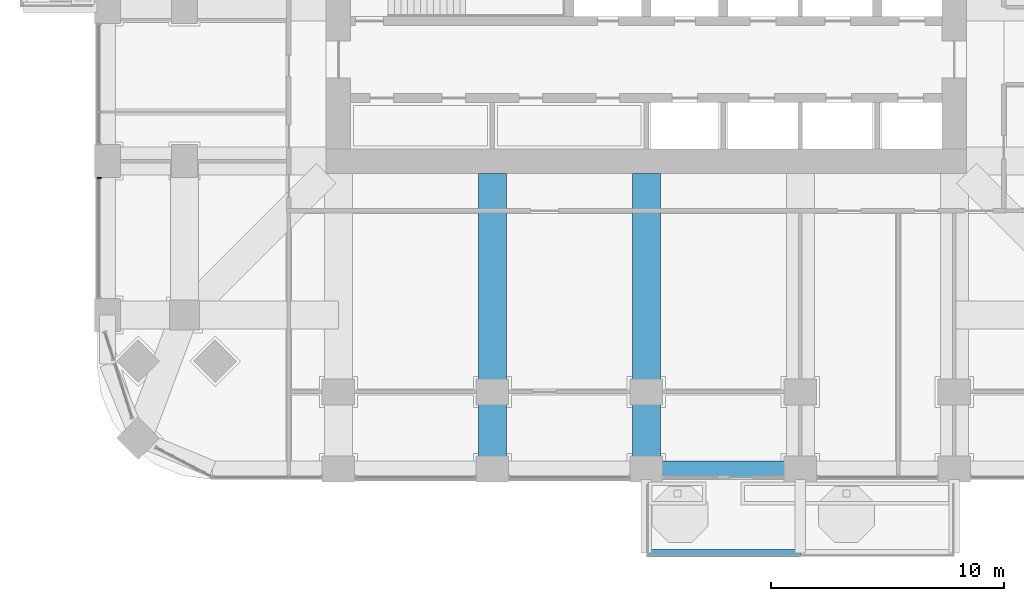
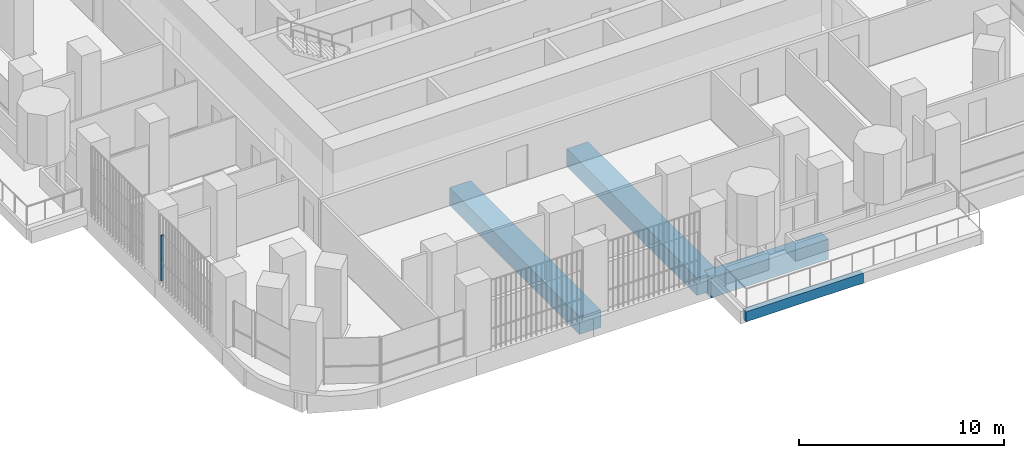
# One storey, part 3 of 22: 4 beams, 1 member, 1 element without a shape of its own.
"""IFC4 building model written with IfcOpenShell, lengths in metres."""

import ifcopenshell
import ifcopenshell.guid

model = None  # the IFC model being written
_history = None  # IfcOwnerHistory: only IFC2X3 demands one
_inside = {}  # id of a spatial element -> (the spatial element, [elements in it])
_under = {}  # id of a project, library or spatial element -> (it, [spatial elements below it])
_declared = {}  # id of a project -> (the project, [libraries it declares])
_typed = {}  # id of a type object -> (the type object, [elements of that type])
_made_of = {}  # id of a material, layer set ... -> (it, [elements and type objects made of it])


def new_model(schema):
    """Start an empty IFC model of exactly this schema.

    Asked for "IFC4X3", IfcOpenShell would pick the latest addendum, in which some entities
    have other attributes; the version numbers below select the first issue.
    IFC2X3 requires an IfcOwnerHistory on every rooted entity: one is made here for all.
    """
    global model, _history
    if schema == "IFC4X3":
        model = ifcopenshell.file(schema_version=(4, 3, 0, 0))
    else:
        model = ifcopenshell.file(schema=schema)
    _inside.clear()
    _under.clear()
    _declared.clear()
    _typed.clear()
    _made_of.clear()
    _history = None
    if model.schema == "IFC2X3":
        org = make("IfcOrganization", Name="unknown")
        user = make(
            "IfcPersonAndOrganization",
            ThePerson=make("IfcPerson", FamilyName="unknown"),
            TheOrganization=org,
        )
        app = make(
            "IfcApplication",
            ApplicationDeveloper=org,
            Version="unknown",
            ApplicationFullName="unknown",
            ApplicationIdentifier="unknown",
        )
        _history = make(
            "IfcOwnerHistory",
            OwningUser=user,
            OwningApplication=app,
            ChangeAction="ADDED",
            CreationDate=0,
        )
    return model


def make(cls, **values):
    """One entity of the class cls with the attributes given. An attribute that is None is left unset."""
    return model.create_entity(
        cls, **{name: value for name, value in values.items() if value is not None}
    )


def rooted(cls, **values):
    """An entity with a GlobalId (a new one), such as an element, a storey or a relation."""
    return make(cls, GlobalId=ifcopenshell.guid.new(), OwnerHistory=_history, **values)


def si_unit(unit_type, name, prefix=None):
    """IfcSIUnit, for example si_unit("LENGTHUNIT", "METRE", prefix="MILLI")."""
    return make("IfcSIUnit", UnitType=unit_type, Prefix=prefix, Name=name)


def assignment(units):
    """IfcUnitAssignment: the units of a project."""
    return None if units is None else make("IfcUnitAssignment", Units=units)


def point(xyz):
    """IfcCartesianPoint."""
    return None if xyz is None else make("IfcCartesianPoint", Coordinates=xyz)


def direction(xyz):
    """IfcDirection."""
    return None if xyz is None else make("IfcDirection", DirectionRatios=xyz)


def frame(location, z_axis=None, x_axis=None):
    """IfcAxis2Placement3D, a coordinate frame: its origin and axes. An axis left out is left unset."""
    return make(
        "IfcAxis2Placement3D",
        Location=point(location),
        Axis=direction(z_axis),
        RefDirection=direction(x_axis),
    )


def frame_2d(location, x_axis=None):
    """IfcAxis2Placement2D, a coordinate frame in the plane: its origin and x axis."""
    return make(
        "IfcAxis2Placement2D", Location=point(location), RefDirection=direction(x_axis)
    )


def origin():
    """The frame at (0, 0, 0) with its axes left unset."""
    return frame((0.0, 0.0, 0.0))


def origin_2d():
    """The frame at (0, 0) in the plane with its x axis left unset."""
    return frame_2d((0.0, 0.0))


def place(relative_to, where):
    """IfcLocalPlacement: puts the frame where relative to a parent placement (None: the world)."""
    return make(
        "IfcLocalPlacement", PlacementRelTo=relative_to, RelativePlacement=where
    )


def context(
    kind, dimensions, precision=None, world=None, true_north=None, identifier=None
):
    """IfcGeometricRepresentationContext, for example the 3D "Model" context."""
    return make(
        "IfcGeometricRepresentationContext",
        ContextIdentifier=identifier,
        ContextType=kind,
        CoordinateSpaceDimension=dimensions,
        Precision=precision,
        WorldCoordinateSystem=world,
        TrueNorth=true_north,
    )


def subcontext(parent, identifier, kind, view, scale=None):
    """IfcGeometricRepresentationSubContext, for example "Body" below "Model"."""
    return make(
        "IfcGeometricRepresentationSubContext",
        ContextIdentifier=identifier,
        ContextType=kind,
        ParentContext=parent,
        TargetScale=scale,
        TargetView=view,
    )


def project(units=None, contexts=None):
    """IfcProject with its units and contexts."""
    return rooted(
        "IfcProject",
        Name="project",
        RepresentationContexts=contexts,
        UnitsInContext=assignment(units),
    )


def spatial(cls, under=None, at=None, **own):
    """A site, building, storey or space (cls), placed at a placement, below another one or the project."""
    s = rooted(cls, ObjectPlacement=at, **own)
    if under is not None:
        _under.setdefault(under.id(), (under, []))[1].append(s)
    return s


def profile(cls, at=None, kind="AREA", **sizes):
    """A parametric profile (cls). Its sizes go by their IFC names, for example OverallWidth=200.0."""
    return make(cls, ProfileType=kind, Position=at, **sizes)


def rectangle(**sizes):
    """IfcRectangleProfileDef."""
    return profile("IfcRectangleProfileDef", **sizes)


def extrude(swept, where, along, depth):
    """IfcExtrudedAreaSolid: the profile swept, set in the frame where, extruded along a direction by depth."""
    return make(
        "IfcExtrudedAreaSolid",
        SweptArea=swept,
        Position=where,
        ExtrudedDirection=direction(along),
        Depth=depth,
    )


def shape(context_of_items, identifier, shape_type, items):
    """IfcShapeRepresentation: the items that make up one representation, for example the "Body"."""
    return make(
        "IfcShapeRepresentation",
        ContextOfItems=context_of_items,
        RepresentationIdentifier=identifier,
        RepresentationType=shape_type,
        Items=items,
    )


def material(Name=None, Category=None):
    """IfcMaterial."""
    return make("IfcMaterial", Name=Name, Category=Category)


def material_profile(
    of_material, cross_section, Name=None, Category=None, Priority=None
):
    """IfcMaterialProfile: a cross section and its material."""
    return make(
        "IfcMaterialProfile",
        Name=Name,
        Material=of_material,
        Profile=cross_section,
        Priority=Priority,
        Category=Category,
    )


def profile_set(profiles, Name=None, composite=None):
    """IfcMaterialProfileSet."""
    return make(
        "IfcMaterialProfileSet",
        Name=Name,
        MaterialProfiles=profiles,
        CompositeProfile=composite,
    )


def made_of(thing, what):
    """Note that an element or type object is made of a material, layer set ...; save() writes the relation."""
    if what is not None:
        _made_of.setdefault(what.id(), (what, []))[1].append(thing)
    return thing


def type_object(cls, material=None, **own):
    """A type object (cls), such as IfcWallType, which elements share."""
    return made_of(rooted(cls, **own), material)


def element(
    cls,
    number,
    at=None,
    inside=None,
    cuts=None,
    type_object=None,
    material=None,
    context=None,
    identifier="Body",
    shape_type=None,
    held_by="IfcProductDefinitionShape",
    body=None,
    shapes=None,
    **own,
):
    """One element of the class cls, such as IfcWall. Its Tag is "e" and its number.

    at: its placement. inside: the storey or other place that contains it. cuts: it is an
    opening in that element (IfcRelVoidsElement). A single representation is given by context,
    identifier, shape_type and body (its items); several are given by shapes. held_by: the class
    of the entity that holds the representations. save() writes the other relations.
    """
    e = rooted(cls, Tag="e%d" % number, ObjectPlacement=at, **own)
    if body is not None:
        shapes = [shape(context, identifier, shape_type, body)]
    if shapes is not None:
        e.Representation = make(held_by, Representations=shapes)
    if inside is not None:
        _inside.setdefault(inside.id(), (inside, []))[1].append(e)
    if cuts is not None:
        rooted(
            "IfcRelVoidsElement", RelatingBuildingElement=cuts, RelatedOpeningElement=e
        )
    if type_object is not None:
        _typed.setdefault(type_object.id(), (type_object, []))[1].append(e)
    return made_of(e, material)


def aggregate(whole, parts):
    """IfcRelAggregates: a whole, such as a stair, and the parts it consists of."""
    return rooted("IfcRelAggregates", RelatingObject=whole, RelatedObjects=parts)


def save(model, path):
    """Write the relations noted so far, then the file.

    IfcRelAggregates (storeys below a building ...), IfcRelContainedInSpatialStructure (elements
    in a storey), IfcRelDefinesByType, IfcRelAssociatesMaterial and IfcRelDeclares: one each for
    every whole, place, type object, material and project.
    """
    for whole, parts in _under.values():
        aggregate(whole, parts)
    for where, things in _inside.values():
        rooted(
            "IfcRelContainedInSpatialStructure",
            RelatedElements=things,
            RelatingStructure=where,
        )
    for kind, things in _typed.values():
        rooted("IfcRelDefinesByType", RelatedObjects=things, RelatingType=kind)
    for what, things in _made_of.values():
        rooted("IfcRelAssociatesMaterial", RelatedObjects=things, RelatingMaterial=what)
    for by, libraries in _declared.values():
        rooted("IfcRelDeclares", RelatingContext=by, RelatedDefinitions=libraries)
    model.write(path)


model = new_model("IFC4")

# Units and contexts
model_context = context("Model", 3, precision=1e-05, world=origin(), true_north=direction((0.0, 1.0)))
body_context = subcontext(model_context, "Body", "Model", "MODEL_VIEW")
ifc_project = project(units=[si_unit("LENGTHUNIT", "METRE"), si_unit("AREAUNIT", "SQUARE_METRE"), si_unit("VOLUMEUNIT", "CUBIC_METRE"), si_unit("PLANEANGLEUNIT", "RADIAN"), si_unit("MASSUNIT", "GRAM", prefix="KILO")], contexts=[model_context])

# Site, building, storey
site_placement = place(None, origin())
site = spatial("IfcSite", under=ifc_project, at=site_placement, CompositionType="ELEMENT")
building_placement = place(site_placement, origin())
building = spatial("IfcBuilding", under=site, at=building_placement, Name="Cobogo Forest Laboratory Tower", CompositionType="ELEMENT")
storey_placement = place(building_placement, frame((0.0, 0.0, 120.0)))
storey = spatial("IfcBuildingStorey", under=building, at=storey_placement, Name="L27", CompositionType="ELEMENT", Elevation=120.0)

# Beams
ifc_material_1 = material(Name="Concrete HA-40 (C40/50)", Category="concrete")
ifc_material_profile_1 = material_profile(ifc_material_1, rectangle(XDim=0.300048828125, YDim=0.60009765625, at=origin_2d()), Name="RC 300x600")
ifc_profile_set_1 = profile_set([ifc_material_profile_1], Name="Concrete HA-40 (C40/50)")
beam_type_1 = type_object("IfcBeamType", Name="Balcony edge beam 300x600", PredefinedType="BEAM", material=ifc_profile_set_1)
beam_1_placement = place(storey_placement, frame((26.39990234375, -3.60009765625, -0.550048828125), z_axis=(1.0, 0.0, 0.0), x_axis=(0.0, 1.0, 0.0)))
element("IfcBeam", 1, at=beam_1_placement, inside=storey, type_object=beam_type_1, Name="BB1 BAL-S1-T1 L27", PredefinedType="BEAM", context=body_context, shape_type="SweptSolid", body=[
    extrude(rectangle(XDim=0.300048828125, YDim=0.60009765625, at=origin_2d()), origin(), (0.0, 0.0, 1.0), 6.60009765625),
])
ifc_material_profile_2 = material_profile(ifc_material_1, rectangle(XDim=1.199951171875, YDim=1.050048828125, at=origin_2d()), Name="RC 1200x1050")
ifc_profile_set_2 = profile_set([ifc_material_profile_2], Name="Concrete HA-40 (C40/50)")
beam_type_2 = type_object("IfcBeamType", Name="Laboratory floor wide beam 1200x1050", PredefinedType="BEAM", material=ifc_profile_set_2)
for number, where, z_axis, x_axis, name in (
    (2, (19.800048828125, 12.675048828125, -0.824951171875), (0.0, -1.0, 0.0), (1.0, 0.0, 0.0), "RB1 R-4-S L27"),
    (3, (26.39990234375, 12.675048828125, -0.824951171875), (0.0, -1.0, 0.0), (1.0, 0.0, 0.0), "RB1 R-5-S L27"),
):
    element("IfcBeam", number, at=place(storey_placement, frame(where, z_axis=z_axis, x_axis=x_axis)), inside=storey, type_object=beam_type_2, Name=name, PredefinedType="BEAM", context=body_context, shape_type="SweptSolid", body=[
        extrude(rectangle(XDim=1.199951171875, YDim=1.050048828125, at=origin_2d()), origin(), (0.0, 0.0, 1.0), 12.675048828125),
    ])

# Curtain wall, member
ifc_material_2 = material(Name="Aluminium curtain wall", Category="aluminium")
curtain_wall_type = type_object("IfcCurtainWallType", Name="CW-1 unitised curtain wall, clear glazing, laboratory floors zones A and B", PredefinedType="USERDEFINED", material=ifc_material_2)
curtain_wall_placement = place(storey_placement, origin())
curtain_wall = element("IfcCurtainWall", 4, at=curtain_wall_placement, inside=storey, type_object=curtain_wall_type, Name="Curtain wall 31 L27", ObjectType="UNITISED CURTAIN WALL", PredefinedType="USERDEFINED")
ifc_material_3 = material(Name="Aluminium mullion", Category="aluminium")
ifc_material_profile_3 = material_profile(ifc_material_3, rectangle(XDim=0.06005859375, YDim=0.159912109375, at=origin_2d()), Name="AL 60x160")
ifc_profile_set_3 = profile_set([ifc_material_profile_3], Name="Aluminium mullion")
member_type = type_object("IfcMemberType", Name="MU-1 aluminium mullion 60x160", PredefinedType="MULLION", material=ifc_profile_set_3)
member_placement = place(storey_placement, frame((2.949951171875, 12.469970703125, 0.0), z_axis=(0.0, 0.0, 1.0), x_axis=(0.0, -1.0, 0.0)))
member = element("IfcMember", 5, at=member_placement, type_object=member_type, Name="CW-1 mullion 1", PredefinedType="MULLION", context=body_context, shape_type="SweptSolid", body=[
    extrude(rectangle(XDim=0.06005859375, YDim=0.159912109375, at=origin_2d()), origin(), (0.0, 0.0, 1.0), 2.699951171875),
])
aggregate(curtain_wall, [member])

# Beam
ifc_material_profile_4 = material_profile(ifc_material_1, rectangle(XDim=0.699951171875, YDim=1.199951171875, at=origin_2d()), Name="RC 700x1200")
ifc_profile_set_4 = profile_set([ifc_material_profile_4], Name="Concrete HA-40 (C40/50)")
beam_type_3 = type_object("IfcBeamType", Name="Perimeter edge beam 700x1200", PredefinedType="BEAM", material=ifc_profile_set_4)
beam_2_placement = place(storey_placement, frame((26.39990234375, 0.0, -0.89990234375), z_axis=(1.0, 0.0, 0.0), x_axis=(0.0, 1.0, 0.0)))
element("IfcBeam", 6, at=beam_2_placement, inside=storey, type_object=beam_type_3, Name="EB1 E-S3 L27", PredefinedType="BEAM", context=body_context, shape_type="SweptSolid", body=[
    extrude(rectangle(XDim=0.699951171875, YDim=1.199951171875, at=origin_2d()), origin(), (0.0, 0.0, 1.0), 6.60009765625),
])

save(model, "model.ifc")
